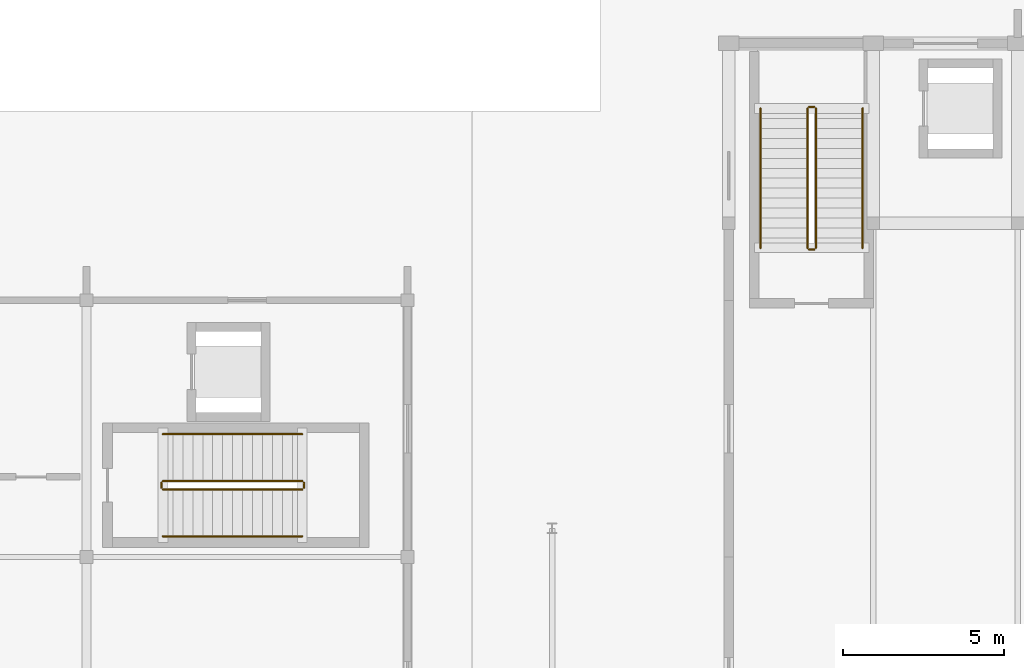
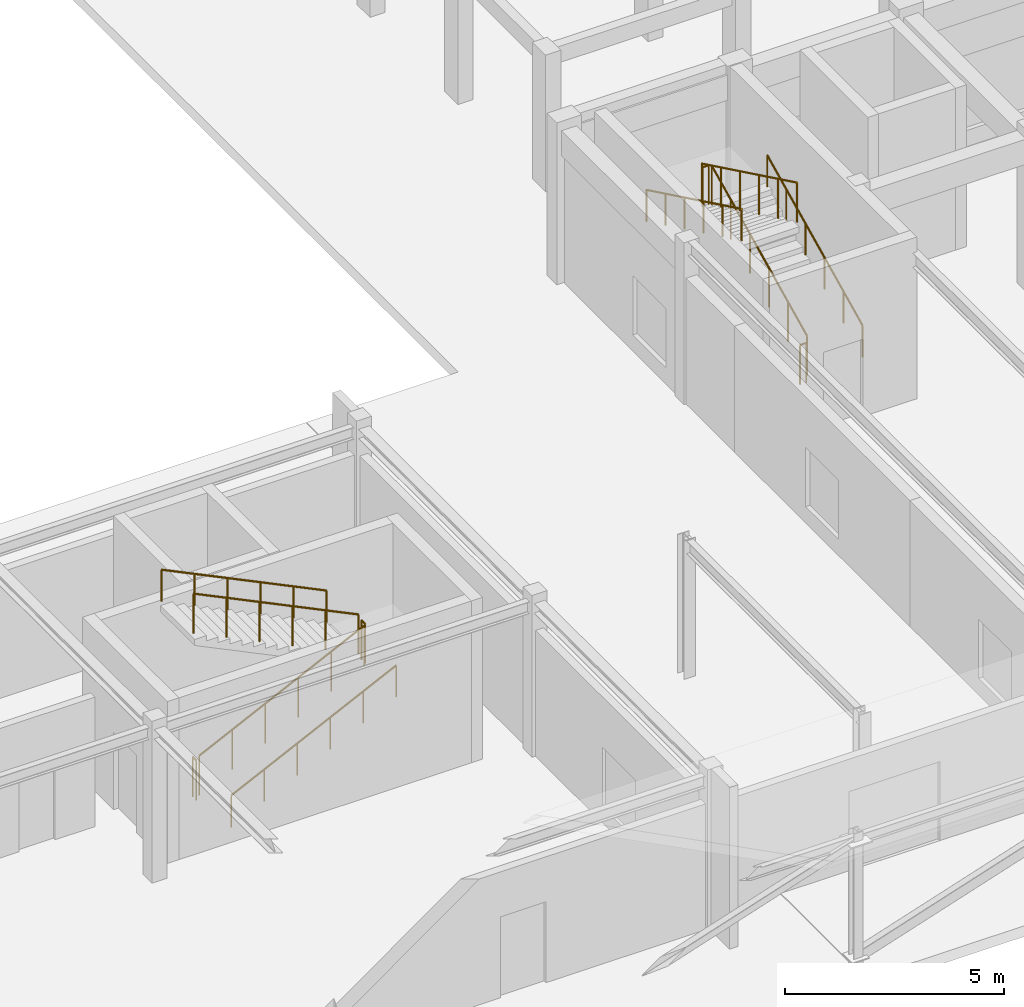
# One storey, part 48 of 61: 12 railings.
"""IFC4 building model written with IfcOpenShell, lengths in metres."""

from ifc_helpers import new_model, si_unit, direction, frame, origin, origin_2d, place, context, subcontext, project, spatial, circle, extrude, material, type_object, element, save


model = new_model("IFC4")

# Units and contexts
model_context = context("Model", 3, precision=1e-05, world=origin(), true_north=direction((0.0, 1.0)))
body_context = subcontext(model_context, "Body", "Model", "MODEL_VIEW")
ifc_project = project(units=[si_unit("LENGTHUNIT", "METRE"), si_unit("AREAUNIT", "SQUARE_METRE"), si_unit("VOLUMEUNIT", "CUBIC_METRE"), si_unit("PLANEANGLEUNIT", "RADIAN"), si_unit("MASSUNIT", "GRAM", prefix="KILO")], contexts=[model_context])

# Site, building, storey
site_placement = place(None, origin())
site = spatial("IfcSite", under=ifc_project, at=site_placement, CompositionType="ELEMENT")
building_placement = place(site_placement, origin())
building = spatial("IfcBuilding", under=site, at=building_placement, Name="Zimvara Arc Housing Community", CompositionType="ELEMENT")
storey_placement = place(building_placement, origin())
storey = spatial("IfcBuildingStorey", under=building, at=storey_placement, Name="L00", CompositionType="ELEMENT", Elevation=0.0)

# Railings
ifc_material_1 = material(Name="Anodised Aluminium AW-6063", Category="aluminium")
railing_type_1 = type_object("IfcRailingType", Name="RLG-BAL-1120", PredefinedType="BALUSTRADE", material=ifc_material_1)
railing_1_placement = place(storey_placement, frame((70.7099609375, 21.22998046875, 0.14990234375)))
element("IfcRailing", 1, at=railing_1_placement, inside=storey, type_object=railing_type_1, Name="L00 ST-H1 stair guard 1", PredefinedType="BALUSTRADE", context=body_context, shape_type="SweptSolid", body=[
    extrude(circle(Radius=0.02392578125, at=origin_2d()), frame((0.0, 0.0, 1.09619140625), z_axis=(0.0, 0.900154768424, 0.435570192832), x_axis=(-1.0, 0.0, 0.0)), (0.0, 0.0, 1.0), 4.821533203125),
    extrude(circle(Radius=0.02099609375, at=origin_2d()), origin(), (0.0, 0.0, 1.0), 1.072021484375),
    extrude(circle(Radius=0.02099609375, at=origin_2d()), frame((0.0, 0.867919921875, 0.419921875)), (0.0, 0.0, 1.0), 1.072021484375),
    extrude(circle(Radius=0.02099609375, at=origin_2d()), frame((0.0, 1.736083984375, 0.840087890625)), (0.0, 0.0, 1.0), 1.072021484375),
    extrude(circle(Radius=0.02099609375, at=origin_2d()), frame((0.0, 2.60400390625, 1.260009765625)), (0.0, 0.0, 1.0), 1.072021484375),
    extrude(circle(Radius=0.02099609375, at=origin_2d()), frame((0.0, 3.47216796875, 1.68017578125)), (0.0, 0.0, 1.0), 1.072021484375),
    extrude(circle(Radius=0.02099609375, at=origin_2d()), frame((0.0, 4.340087890625, 2.10009765625)), (0.0, 0.0, 1.0), 1.072021484375),
])
railing_2_placement = place(storey_placement, frame((70.659912109375, 25.6201171875, 2.25)))
element("IfcRailing", 2, at=railing_2_placement, inside=storey, type_object=railing_type_1, Name="L00 ST-H1 stair guard 2", PredefinedType="BALUSTRADE", context=body_context, shape_type="SweptSolid", body=[
    extrude(circle(Radius=0.02392578125, at=origin_2d()), frame((0.0, 0.0, 1.09619140625), z_axis=(-1.0, 0.0, 0.0), x_axis=(0.0, -1.0, 0.0)), (0.0, 0.0, 1.0), 0.159912109375),
    extrude(circle(Radius=0.02099609375, at=origin_2d()), origin(), (0.0, 0.0, 1.0), 1.072021484375),
    extrude(circle(Radius=0.02099609375, at=origin_2d()), frame((-0.159912109375, 0.0, 0.0)), (0.0, 0.0, 1.0), 1.072021484375),
])
railing_3_placement = place(storey_placement, frame((70.449951171875, 25.570068359375, 2.39990234375)))
element("IfcRailing", 3, at=railing_3_placement, inside=storey, type_object=railing_type_1, Name="L00 ST-H1 stair guard 3", PredefinedType="BALUSTRADE", context=body_context, shape_type="SweptSolid", body=[
    extrude(circle(Radius=0.02392578125, at=origin_2d()), frame((0.0, 0.0, 1.09619140625), z_axis=(0.0, -0.900154768424, 0.435570192832), x_axis=(1.0, 0.0, 0.0)), (0.0, 0.0, 1.0), 4.821533203125),
    extrude(circle(Radius=0.02099609375, at=origin_2d()), origin(), (0.0, 0.0, 1.0), 1.072021484375),
    extrude(circle(Radius=0.02099609375, at=origin_2d()), frame((0.0, -0.867919921875, 0.419921875)), (0.0, 0.0, 1.0), 1.072021484375),
    extrude(circle(Radius=0.02099609375, at=origin_2d()), frame((0.0, -1.736083984375, 0.840087890625)), (0.0, 0.0, 1.0), 1.072021484375),
    extrude(circle(Radius=0.02099609375, at=origin_2d()), frame((0.0, -2.60400390625, 1.260009765625)), (0.0, 0.0, 1.0), 1.072021484375),
    extrude(circle(Radius=0.02099609375, at=origin_2d()), frame((0.0, -3.47216796875, 1.68017578125)), (0.0, 0.0, 1.0), 1.072021484375),
    extrude(circle(Radius=0.02099609375, at=origin_2d()), frame((0.0, -4.340087890625, 2.10009765625)), (0.0, 0.0, 1.0), 1.072021484375),
])
railing_4_placement = place(storey_placement, frame((70.659912109375, 21.179931640625, 0.0)))
element("IfcRailing", 4, at=railing_4_placement, inside=storey, type_object=railing_type_1, Name="L00 ST-H1 stair guard 4", PredefinedType="BALUSTRADE", context=body_context, shape_type="SweptSolid", body=[
    extrude(circle(Radius=0.02392578125, at=origin_2d()), frame((0.0, 0.0, 1.09619140625), z_axis=(-1.0, 0.0, 0.0), x_axis=(0.0, -1.0, 0.0)), (0.0, 0.0, 1.0), 0.159912109375),
    extrude(circle(Radius=0.02099609375, at=origin_2d()), origin(), (0.0, 0.0, 1.0), 1.072021484375),
    extrude(circle(Radius=0.02099609375, at=origin_2d()), frame((-0.159912109375, 0.0, 0.0)), (0.0, 0.0, 1.0), 1.072021484375),
])
railing_5_placement = place(storey_placement, frame((50.3798828125, 13.7099609375, 0.14990234375)))
element("IfcRailing", 5, at=railing_5_placement, inside=storey, type_object=railing_type_1, Name="L00 ST-S1 stair guard 1", PredefinedType="BALUSTRADE", context=body_context, shape_type="SweptSolid", body=[
    extrude(circle(Radius=0.02392578125, at=origin_2d()), frame((0.0, 0.0, 1.09619140625), z_axis=(0.900154768424, 0.0, 0.435570192832), x_axis=(0.0, 1.0, 0.0)), (0.0, 0.0, 1.0), 4.821533203125),
    extrude(circle(Radius=0.02099609375, at=origin_2d()), origin(), (0.0, 0.0, 1.0), 1.072021484375),
    extrude(circle(Radius=0.02099609375, at=origin_2d()), frame((0.867919921875, 0.0, 0.419921875)), (0.0, 0.0, 1.0), 1.072021484375),
    extrude(circle(Radius=0.02099609375, at=origin_2d()), frame((1.736083984375, 0.0, 0.840087890625)), (0.0, 0.0, 1.0), 1.072021484375),
    extrude(circle(Radius=0.02099609375, at=origin_2d()), frame((2.60400390625, 0.0, 1.260009765625)), (0.0, 0.0, 1.0), 1.072021484375),
    extrude(circle(Radius=0.02099609375, at=origin_2d()), frame((3.47216796875, 0.0, 1.68017578125)), (0.0, 0.0, 1.0), 1.072021484375),
    extrude(circle(Radius=0.02099609375, at=origin_2d()), frame((4.340087890625, 0.0, 2.10009765625)), (0.0, 0.0, 1.0), 1.072021484375),
])
railing_6_placement = place(storey_placement, frame((54.77001953125, 13.760009765625, 2.25)))
element("IfcRailing", 6, at=railing_6_placement, inside=storey, type_object=railing_type_1, Name="L00 ST-S1 stair guard 2", PredefinedType="BALUSTRADE", context=body_context, shape_type="SweptSolid", body=[
    extrude(circle(Radius=0.02392578125, at=origin_2d()), frame((0.0, 0.0, 1.09619140625), z_axis=(0.0, 1.0, 0.0), x_axis=(-1.0, 0.0, 0.0)), (0.0, 0.0, 1.0), 0.159912109375),
    extrude(circle(Radius=0.02099609375, at=origin_2d()), origin(), (0.0, 0.0, 1.0), 1.072021484375),
    extrude(circle(Radius=0.02099609375, at=origin_2d()), frame((0.0, 0.159912109375, 0.0)), (0.0, 0.0, 1.0), 1.072021484375),
])
railing_7_placement = place(storey_placement, frame((54.719970703125, 13.969970703125, 2.39990234375)))
element("IfcRailing", 7, at=railing_7_placement, inside=storey, type_object=railing_type_1, Name="L00 ST-S1 stair guard 3", PredefinedType="BALUSTRADE", context=body_context, shape_type="SweptSolid", body=[
    extrude(circle(Radius=0.02392578125, at=origin_2d()), frame((0.0, 0.0, 1.09619140625), z_axis=(-0.900154768424, 0.0, 0.435570192832), x_axis=(0.0, -1.0, 0.0)), (0.0, 0.0, 1.0), 4.821533203125),
    extrude(circle(Radius=0.02099609375, at=origin_2d()), origin(), (0.0, 0.0, 1.0), 1.072021484375),
    extrude(circle(Radius=0.02099609375, at=origin_2d()), frame((-0.867919921875, 0.0, 0.419921875)), (0.0, 0.0, 1.0), 1.072021484375),
    extrude(circle(Radius=0.02099609375, at=origin_2d()), frame((-1.736083984375, 0.0, 0.840087890625)), (0.0, 0.0, 1.0), 1.072021484375),
    extrude(circle(Radius=0.02099609375, at=origin_2d()), frame((-2.60400390625, 0.0, 1.260009765625)), (0.0, 0.0, 1.0), 1.072021484375),
    extrude(circle(Radius=0.02099609375, at=origin_2d()), frame((-3.47216796875, 0.0, 1.68017578125)), (0.0, 0.0, 1.0), 1.072021484375),
    extrude(circle(Radius=0.02099609375, at=origin_2d()), frame((-4.340087890625, 0.0, 2.10009765625)), (0.0, 0.0, 1.0), 1.072021484375),
])
railing_8_placement = place(storey_placement, frame((50.330078125, 13.760009765625, 0.0)))
element("IfcRailing", 8, at=railing_8_placement, inside=storey, type_object=railing_type_1, Name="L00 ST-S1 stair guard 4", PredefinedType="BALUSTRADE", context=body_context, shape_type="SweptSolid", body=[
    extrude(circle(Radius=0.02392578125, at=origin_2d()), frame((0.0, 0.0, 1.09619140625), z_axis=(0.0, 1.0, 0.0), x_axis=(-1.0, 0.0, 0.0)), (0.0, 0.0, 1.0), 0.159912109375),
    extrude(circle(Radius=0.02099609375, at=origin_2d()), origin(), (0.0, 0.0, 1.0), 1.072021484375),
    extrude(circle(Radius=0.02099609375, at=origin_2d()), frame((0.0, 0.159912109375, 0.0)), (0.0, 0.0, 1.0), 1.072021484375),
])
ifc_material_2 = material(Name="Anodised Aluminium AW-6063", Category="aluminium")
railing_type_2 = type_object("IfcRailingType", Name="RLG-HND-900", PredefinedType="HANDRAIL", material=ifc_material_2)
railing_9_placement = place(storey_placement, frame((72.169921875, 21.22998046875, 0.14990234375)))
element("IfcRailing", 9, at=railing_9_placement, inside=storey, type_object=railing_type_2, Name="L00 ST-H1 stair handrail 1", PredefinedType="HANDRAIL", context=body_context, shape_type="SweptSolid", body=[
    extrude(circle(Radius=0.02392578125, at=origin_2d()), frame((0.0, 0.0, 0.8759765625), z_axis=(0.0, 0.900154768424, 0.435570192832), x_axis=(-1.0, 0.0, 0.0)), (0.0, 0.0, 1.0), 4.821533203125),
    extrude(circle(Radius=0.02099609375, at=origin_2d()), origin(), (0.0, 0.0, 1.0), 0.851806640625),
    extrude(circle(Radius=0.02099609375, at=origin_2d()), frame((0.0, 0.867919921875, 0.419921875)), (0.0, 0.0, 1.0), 0.851806640625),
    extrude(circle(Radius=0.02099609375, at=origin_2d()), frame((0.0, 1.736083984375, 0.840087890625)), (0.0, 0.0, 1.0), 0.851806640625),
    extrude(circle(Radius=0.02099609375, at=origin_2d()), frame((0.0, 2.60400390625, 1.260009765625)), (0.0, 0.0, 1.0), 0.851806640625),
    extrude(circle(Radius=0.02099609375, at=origin_2d()), frame((0.0, 3.47216796875, 1.68017578125)), (0.0, 0.0, 1.0), 0.851806640625),
    extrude(circle(Radius=0.02099609375, at=origin_2d()), frame((0.0, 4.340087890625, 2.10009765625)), (0.0, 0.0, 1.0), 0.851806640625),
])
railing_10_placement = place(storey_placement, frame((68.989990234375, 25.570068359375, 2.39990234375)))
element("IfcRailing", 10, at=railing_10_placement, inside=storey, type_object=railing_type_2, Name="L00 ST-H1 stair handrail 2", PredefinedType="HANDRAIL", context=body_context, shape_type="SweptSolid", body=[
    extrude(circle(Radius=0.02392578125, at=origin_2d()), frame((0.0, 0.0, 0.8759765625), z_axis=(0.0, -0.900154768424, 0.435570192832), x_axis=(1.0, 0.0, 0.0)), (0.0, 0.0, 1.0), 4.821533203125),
    extrude(circle(Radius=0.02099609375, at=origin_2d()), origin(), (0.0, 0.0, 1.0), 0.851806640625),
    extrude(circle(Radius=0.02099609375, at=origin_2d()), frame((0.0, -0.867919921875, 0.419921875)), (0.0, 0.0, 1.0), 0.851806640625),
    extrude(circle(Radius=0.02099609375, at=origin_2d()), frame((0.0, -1.736083984375, 0.840087890625)), (0.0, 0.0, 1.0), 0.851806640625),
    extrude(circle(Radius=0.02099609375, at=origin_2d()), frame((0.0, -2.60400390625, 1.260009765625)), (0.0, 0.0, 1.0), 0.851806640625),
    extrude(circle(Radius=0.02099609375, at=origin_2d()), frame((0.0, -3.47216796875, 1.68017578125)), (0.0, 0.0, 1.0), 0.851806640625),
    extrude(circle(Radius=0.02099609375, at=origin_2d()), frame((0.0, -4.340087890625, 2.10009765625)), (0.0, 0.0, 1.0), 0.851806640625),
])
railing_11_placement = place(storey_placement, frame((50.3798828125, 12.25, 0.14990234375)))
element("IfcRailing", 11, at=railing_11_placement, inside=storey, type_object=railing_type_2, Name="L00 ST-S1 stair handrail 1", PredefinedType="HANDRAIL", context=body_context, shape_type="SweptSolid", body=[
    extrude(circle(Radius=0.02392578125, at=origin_2d()), frame((0.0, 0.0, 0.8759765625), z_axis=(0.900154768424, 0.0, 0.435570192832), x_axis=(0.0, 1.0, 0.0)), (0.0, 0.0, 1.0), 4.821533203125),
    extrude(circle(Radius=0.02099609375, at=origin_2d()), origin(), (0.0, 0.0, 1.0), 0.851806640625),
    extrude(circle(Radius=0.02099609375, at=origin_2d()), frame((0.867919921875, 0.0, 0.419921875)), (0.0, 0.0, 1.0), 0.851806640625),
    extrude(circle(Radius=0.02099609375, at=origin_2d()), frame((1.736083984375, 0.0, 0.840087890625)), (0.0, 0.0, 1.0), 0.851806640625),
    extrude(circle(Radius=0.02099609375, at=origin_2d()), frame((2.60400390625, 0.0, 1.260009765625)), (0.0, 0.0, 1.0), 0.851806640625),
    extrude(circle(Radius=0.02099609375, at=origin_2d()), frame((3.47216796875, 0.0, 1.68017578125)), (0.0, 0.0, 1.0), 0.851806640625),
    extrude(circle(Radius=0.02099609375, at=origin_2d()), frame((4.340087890625, 0.0, 2.10009765625)), (0.0, 0.0, 1.0), 0.851806640625),
])
railing_12_placement = place(storey_placement, frame((54.719970703125, 15.429931640625, 2.39990234375)))
element("IfcRailing", 12, at=railing_12_placement, inside=storey, type_object=railing_type_2, Name="L00 ST-S1 stair handrail 2", PredefinedType="HANDRAIL", context=body_context, shape_type="SweptSolid", body=[
    extrude(circle(Radius=0.02392578125, at=origin_2d()), frame((0.0, 0.0, 0.8759765625), z_axis=(-0.900154768424, 0.0, 0.435570192832), x_axis=(0.0, -1.0, 0.0)), (0.0, 0.0, 1.0), 4.821533203125),
    extrude(circle(Radius=0.02099609375, at=origin_2d()), origin(), (0.0, 0.0, 1.0), 0.851806640625),
    extrude(circle(Radius=0.02099609375, at=origin_2d()), frame((-0.867919921875, 0.0, 0.419921875)), (0.0, 0.0, 1.0), 0.851806640625),
    extrude(circle(Radius=0.02099609375, at=origin_2d()), frame((-1.736083984375, 0.0, 0.840087890625)), (0.0, 0.0, 1.0), 0.851806640625),
    extrude(circle(Radius=0.02099609375, at=origin_2d()), frame((-2.60400390625, 0.0, 1.260009765625)), (0.0, 0.0, 1.0), 0.851806640625),
    extrude(circle(Radius=0.02099609375, at=origin_2d()), frame((-3.47216796875, 0.0, 1.68017578125)), (0.0, 0.0, 1.0), 0.851806640625),
    extrude(circle(Radius=0.02099609375, at=origin_2d()), frame((-4.340087890625, 0.0, 2.10009765625)), (0.0, 0.0, 1.0), 0.851806640625),
])

save(model, "model.ifc")
